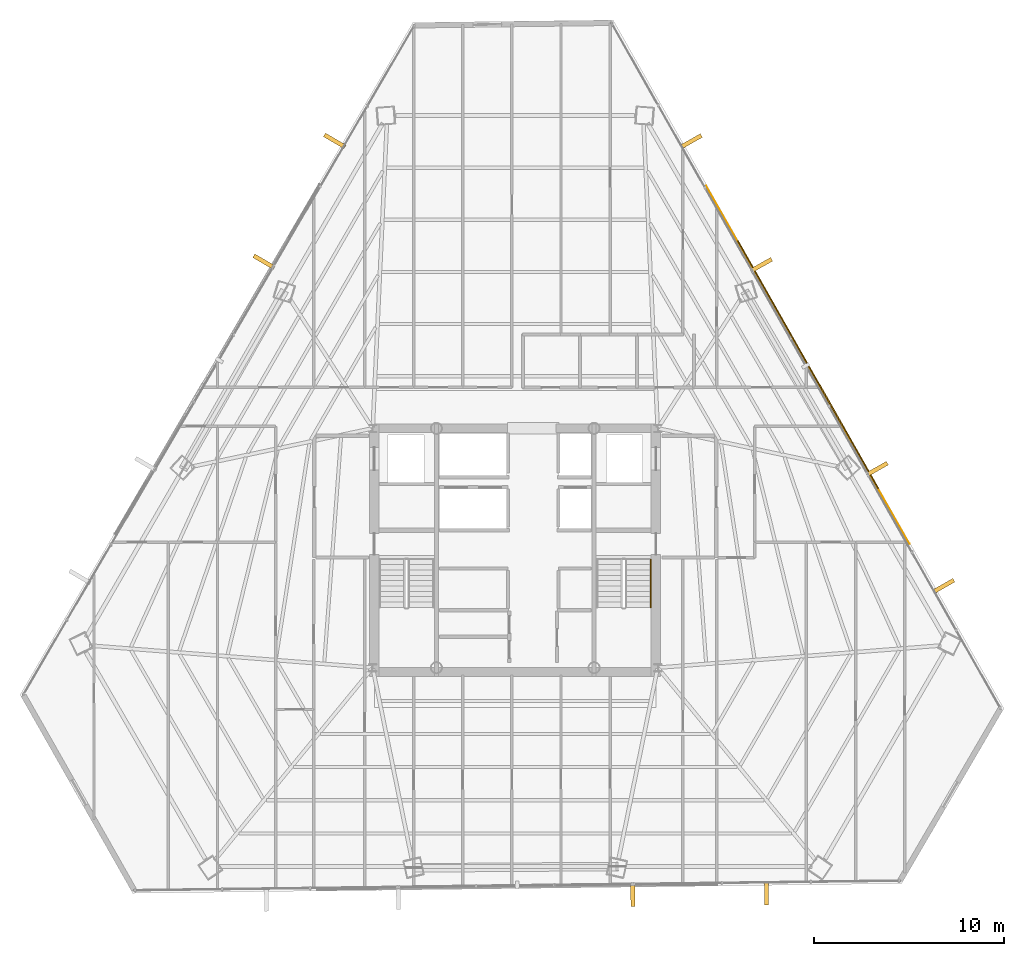
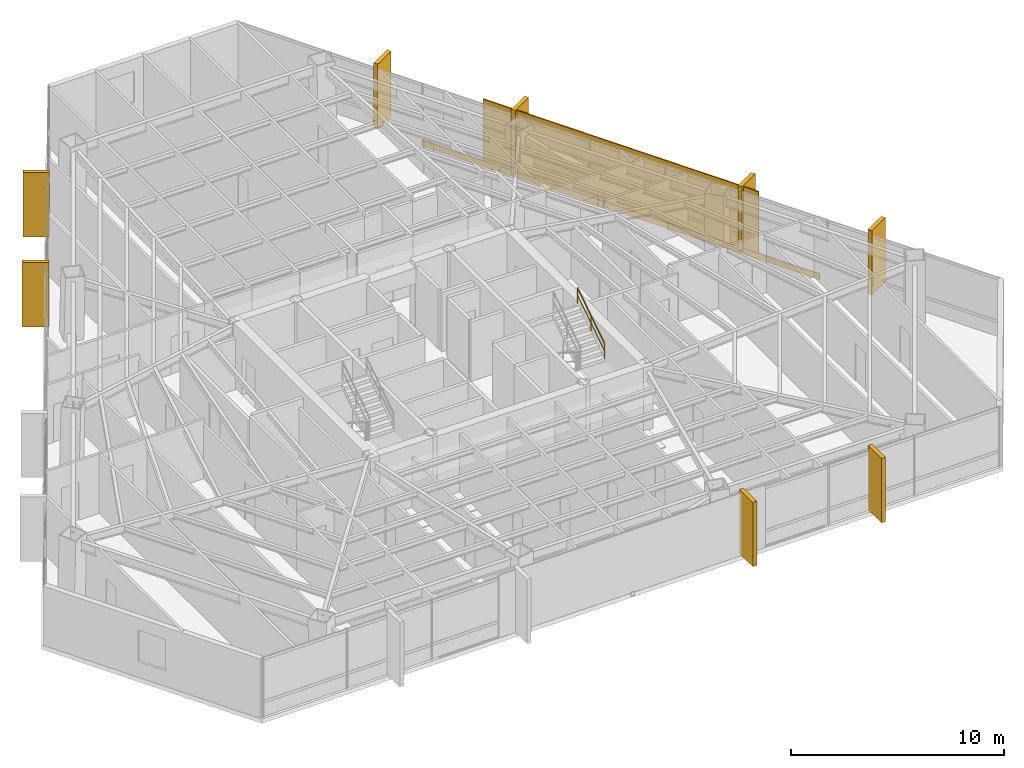
# One storey, part 42 of 42: 9 coverings, 1 railing, 1 shading device.
"""IFC4 building model written with IfcOpenShell, lengths in metres."""

import ifcopenshell
import ifcopenshell.guid

model = None  # the IFC model being written
_history = None  # IfcOwnerHistory: only IFC2X3 demands one
_inside = {}  # id of a spatial element -> (the spatial element, [elements in it])
_under = {}  # id of a project, library or spatial element -> (it, [spatial elements below it])
_declared = {}  # id of a project -> (the project, [libraries it declares])
_typed = {}  # id of a type object -> (the type object, [elements of that type])
_made_of = {}  # id of a material, layer set ... -> (it, [elements and type objects made of it])


def new_model(schema):
    """Start an empty IFC model of exactly this schema.

    Asked for "IFC4X3", IfcOpenShell would pick the latest addendum, in which some entities
    have other attributes; the version numbers below select the first issue.
    IFC2X3 requires an IfcOwnerHistory on every rooted entity: one is made here for all.
    """
    global model, _history
    if schema == "IFC4X3":
        model = ifcopenshell.file(schema_version=(4, 3, 0, 0))
    else:
        model = ifcopenshell.file(schema=schema)
    _inside.clear()
    _under.clear()
    _declared.clear()
    _typed.clear()
    _made_of.clear()
    _history = None
    if model.schema == "IFC2X3":
        org = make("IfcOrganization", Name="unknown")
        user = make(
            "IfcPersonAndOrganization",
            ThePerson=make("IfcPerson", FamilyName="unknown"),
            TheOrganization=org,
        )
        app = make(
            "IfcApplication",
            ApplicationDeveloper=org,
            Version="unknown",
            ApplicationFullName="unknown",
            ApplicationIdentifier="unknown",
        )
        _history = make(
            "IfcOwnerHistory",
            OwningUser=user,
            OwningApplication=app,
            ChangeAction="ADDED",
            CreationDate=0,
        )
    return model


def make(cls, **values):
    """One entity of the class cls with the attributes given. An attribute that is None is left unset."""
    return model.create_entity(
        cls, **{name: value for name, value in values.items() if value is not None}
    )


def rooted(cls, **values):
    """An entity with a GlobalId (a new one), such as an element, a storey or a relation."""
    return make(cls, GlobalId=ifcopenshell.guid.new(), OwnerHistory=_history, **values)


def si_unit(unit_type, name, prefix=None):
    """IfcSIUnit, for example si_unit("LENGTHUNIT", "METRE", prefix="MILLI")."""
    return make("IfcSIUnit", UnitType=unit_type, Prefix=prefix, Name=name)


def assignment(units):
    """IfcUnitAssignment: the units of a project."""
    return None if units is None else make("IfcUnitAssignment", Units=units)


def point(xyz):
    """IfcCartesianPoint."""
    return None if xyz is None else make("IfcCartesianPoint", Coordinates=xyz)


def direction(xyz):
    """IfcDirection."""
    return None if xyz is None else make("IfcDirection", DirectionRatios=xyz)


def frame(location, z_axis=None, x_axis=None):
    """IfcAxis2Placement3D, a coordinate frame: its origin and axes. An axis left out is left unset."""
    return make(
        "IfcAxis2Placement3D",
        Location=point(location),
        Axis=direction(z_axis),
        RefDirection=direction(x_axis),
    )


def frame_2d(location, x_axis=None):
    """IfcAxis2Placement2D, a coordinate frame in the plane: its origin and x axis."""
    return make(
        "IfcAxis2Placement2D", Location=point(location), RefDirection=direction(x_axis)
    )


def origin():
    """The frame at (0, 0, 0) with its axes left unset."""
    return frame((0.0, 0.0, 0.0))


def origin_2d():
    """The frame at (0, 0) in the plane with its x axis left unset."""
    return frame_2d((0.0, 0.0))


def place(relative_to, where):
    """IfcLocalPlacement: puts the frame where relative to a parent placement (None: the world)."""
    return make(
        "IfcLocalPlacement", PlacementRelTo=relative_to, RelativePlacement=where
    )


def context(
    kind, dimensions, precision=None, world=None, true_north=None, identifier=None
):
    """IfcGeometricRepresentationContext, for example the 3D "Model" context."""
    return make(
        "IfcGeometricRepresentationContext",
        ContextIdentifier=identifier,
        ContextType=kind,
        CoordinateSpaceDimension=dimensions,
        Precision=precision,
        WorldCoordinateSystem=world,
        TrueNorth=true_north,
    )


def subcontext(parent, identifier, kind, view, scale=None):
    """IfcGeometricRepresentationSubContext, for example "Body" below "Model"."""
    return make(
        "IfcGeometricRepresentationSubContext",
        ContextIdentifier=identifier,
        ContextType=kind,
        ParentContext=parent,
        TargetScale=scale,
        TargetView=view,
    )


def project(units=None, contexts=None):
    """IfcProject with its units and contexts."""
    return rooted(
        "IfcProject",
        Name="project",
        RepresentationContexts=contexts,
        UnitsInContext=assignment(units),
    )


def spatial(cls, under=None, at=None, **own):
    """A site, building, storey or space (cls), placed at a placement, below another one or the project."""
    s = rooted(cls, ObjectPlacement=at, **own)
    if under is not None:
        _under.setdefault(under.id(), (under, []))[1].append(s)
    return s


def profile(cls, at=None, kind="AREA", **sizes):
    """A parametric profile (cls). Its sizes go by their IFC names, for example OverallWidth=200.0."""
    return make(cls, ProfileType=kind, Position=at, **sizes)


def rectangle(**sizes):
    """IfcRectangleProfileDef."""
    return profile("IfcRectangleProfileDef", **sizes)


def extrude(swept, where, along, depth):
    """IfcExtrudedAreaSolid: the profile swept, set in the frame where, extruded along a direction by depth."""
    return make(
        "IfcExtrudedAreaSolid",
        SweptArea=swept,
        Position=where,
        ExtrudedDirection=direction(along),
        Depth=depth,
    )


def shape(context_of_items, identifier, shape_type, items):
    """IfcShapeRepresentation: the items that make up one representation, for example the "Body"."""
    return make(
        "IfcShapeRepresentation",
        ContextOfItems=context_of_items,
        RepresentationIdentifier=identifier,
        RepresentationType=shape_type,
        Items=items,
    )


def source(mapping_origin, context_of_items, identifier, shape_type, items):
    """IfcRepresentationMap: a shape defined once, which mapped items show again and again."""
    return make(
        "IfcRepresentationMap",
        MappingOrigin=mapping_origin,
        MappedRepresentation=shape(context_of_items, identifier, shape_type, items),
    )


def transform(
    local_origin,
    x_axis=None,
    y_axis=None,
    z_axis=None,
    scale=None,
    scale2=None,
    scale3=None,
    uniform=True,
):
    """IfcCartesianTransformationOperator3D, or its non-uniform kind. x_axis, y_axis, z_axis: its Axis1, 2, 3."""
    if uniform:
        return make(
            "IfcCartesianTransformationOperator3D",
            Axis1=direction(x_axis),
            Axis2=direction(y_axis),
            LocalOrigin=point(local_origin),
            Scale=scale,
            Axis3=direction(z_axis),
        )
    return make(
        "IfcCartesianTransformationOperator3DnonUniform",
        Axis1=direction(x_axis),
        Axis2=direction(y_axis),
        LocalOrigin=point(local_origin),
        Scale=scale,
        Axis3=direction(z_axis),
        Scale2=scale2,
        Scale3=scale3,
    )


def mapped(mapping_source, mapping_target):
    """IfcMappedItem: shows the shape of a source again, moved by a transform."""
    return make(
        "IfcMappedItem", MappingSource=mapping_source, MappingTarget=mapping_target
    )


def material(Name=None, Category=None):
    """IfcMaterial."""
    return make("IfcMaterial", Name=Name, Category=Category)


def layer(
    of_material, thickness, ventilated=None, Name=None, Category=None, Priority=None
):
    """IfcMaterialLayer: one layer of a wall or slab, of a material (None: an air gap)."""
    return make(
        "IfcMaterialLayer",
        Material=of_material,
        LayerThickness=thickness,
        IsVentilated=ventilated,
        Name=Name,
        Category=Category,
        Priority=Priority,
    )


def layer_set(layers, Name=None):
    """IfcMaterialLayerSet."""
    return make("IfcMaterialLayerSet", MaterialLayers=layers, LayerSetName=Name)


def made_of(thing, what):
    """Note that an element or type object is made of a material, layer set ...; save() writes the relation."""
    if what is not None:
        _made_of.setdefault(what.id(), (what, []))[1].append(thing)
    return thing


def type_object(cls, material=None, **own):
    """A type object (cls), such as IfcWallType, which elements share."""
    return made_of(rooted(cls, **own), material)


def type_shapes(of_type, sources):
    """Give a type object the sources (RepresentationMaps) that its elements show as mapped items."""
    of_type.RepresentationMaps = sources


def element(
    cls,
    number,
    at=None,
    inside=None,
    cuts=None,
    type_object=None,
    material=None,
    context=None,
    identifier="Body",
    shape_type=None,
    held_by="IfcProductDefinitionShape",
    body=None,
    shapes=None,
    **own,
):
    """One element of the class cls, such as IfcWall. Its Tag is "e" and its number.

    at: its placement. inside: the storey or other place that contains it. cuts: it is an
    opening in that element (IfcRelVoidsElement). A single representation is given by context,
    identifier, shape_type and body (its items); several are given by shapes. held_by: the class
    of the entity that holds the representations. save() writes the other relations.
    """
    e = rooted(cls, Tag="e%d" % number, ObjectPlacement=at, **own)
    if body is not None:
        shapes = [shape(context, identifier, shape_type, body)]
    if shapes is not None:
        e.Representation = make(held_by, Representations=shapes)
    if inside is not None:
        _inside.setdefault(inside.id(), (inside, []))[1].append(e)
    if cuts is not None:
        rooted(
            "IfcRelVoidsElement", RelatingBuildingElement=cuts, RelatedOpeningElement=e
        )
    if type_object is not None:
        _typed.setdefault(type_object.id(), (type_object, []))[1].append(e)
    return made_of(e, material)


def aggregate(whole, parts):
    """IfcRelAggregates: a whole, such as a stair, and the parts it consists of."""
    return rooted("IfcRelAggregates", RelatingObject=whole, RelatedObjects=parts)


def save(model, path):
    """Write the relations noted so far, then the file.

    IfcRelAggregates (storeys below a building ...), IfcRelContainedInSpatialStructure (elements
    in a storey), IfcRelDefinesByType, IfcRelAssociatesMaterial and IfcRelDeclares: one each for
    every whole, place, type object, material and project.
    """
    for whole, parts in _under.values():
        aggregate(whole, parts)
    for where, things in _inside.values():
        rooted(
            "IfcRelContainedInSpatialStructure",
            RelatedElements=things,
            RelatingStructure=where,
        )
    for kind, things in _typed.values():
        rooted("IfcRelDefinesByType", RelatedObjects=things, RelatingType=kind)
    for what, things in _made_of.values():
        rooted("IfcRelAssociatesMaterial", RelatedObjects=things, RelatingMaterial=what)
    for by, libraries in _declared.values():
        rooted("IfcRelDeclares", RelatingContext=by, RelatedDefinitions=libraries)
    model.write(path)


model = new_model("IFC4")

# Units and contexts
model_context = context("Model", 3, precision=1e-05, world=origin(), true_north=direction((0.0, 1.0)))
body_context = subcontext(model_context, "Body", "Model", "MODEL_VIEW")
ifc_project = project(units=[si_unit("LENGTHUNIT", "METRE"), si_unit("AREAUNIT", "SQUARE_METRE"), si_unit("VOLUMEUNIT", "CUBIC_METRE"), si_unit("PLANEANGLEUNIT", "RADIAN"), si_unit("MASSUNIT", "GRAM", prefix="KILO")], contexts=[model_context])

# Site, building, storey
site_placement = place(None, origin())
site = spatial("IfcSite", under=ifc_project, at=site_placement, CompositionType="ELEMENT")
building_placement = place(site_placement, origin())
building = spatial("IfcBuilding", under=site, at=building_placement, Name="Caelisora Broadcast Tower", CompositionType="ELEMENT")
storey_placement = place(building_placement, frame((0.0, 0.0, 131.800048828125)))
storey = spatial("IfcBuildingStorey", under=building, at=storey_placement, Name="L34", CompositionType="ELEMENT", Elevation=131.800048828125)

# Railing
ifc_material_1 = material(Name="Stainless Steel Grade 316 Tubular Handrail", Category="steel")
ifc_layer_1 = layer(ifc_material_1, 0.048095703125, Name="Stainless Steel Grade 316 Tubular Handrail")
ifc_layer_set_1 = layer_set([ifc_layer_1], Name="Stainless Steel Grade 316 Tubular Handrail")
railing_type = type_object("IfcRailingType", Name="HR-1", PredefinedType="HANDRAIL", material=ifc_layer_set_1)
railing_placement = place(storey_placement, frame((45.1298828125, 20.580078125, 2.007568359375)))
element("IfcRailing", 1, at=railing_placement, inside=storey, type_object=railing_type, Name="L34 ST-2 stair handrail 2", PredefinedType="HANDRAIL", context=body_context, shape_type="SweptSolid", body=[
    extrude(rectangle(XDim=0.048095703125, YDim=0.048095703125, at=origin_2d()), frame((0.0, 0.0, 0.8759765625), z_axis=(0.0, 0.837786554691, 0.545997883492), x_axis=(-1.0, 0.0, 0.0)), (0.0, 0.0, 1.0), 3.008056640625),
    extrude(rectangle(XDim=0.03125, YDim=0.03125, at=origin_2d()), frame((0.0, 0.0, 0.449951171875), z_axis=(0.0, 0.837786554691, 0.545997883492), x_axis=(-1.0, 0.0, 0.0)), (0.0, 0.0, 1.0), 3.008056640625),
    extrude(rectangle(XDim=0.0419921875, YDim=0.0419921875, at=origin_2d()), origin(), (0.0, 0.0, 1.0), 0.851806640625),
    extrude(rectangle(XDim=0.0419921875, YDim=0.0419921875, at=origin_2d()), frame((0.0, 1.260009765625, 0.8212890625)), (0.0, 0.0, 1.0), 0.851806640625),
    extrude(rectangle(XDim=0.0419921875, YDim=0.0419921875, at=origin_2d()), frame((0.0, 2.52001953125, 1.642333984375)), (0.0, 0.0, 1.0), 0.851806640625),
])

# Coverings
ifc_material_2 = material(Name="Kiln-Fired Terracotta Spandrel Rainscreen Cladding", Category="ceramic")
ifc_layer_2 = layer(ifc_material_2, 0.044921875, Name="Kiln-Fired Terracotta Spandrel Rainscreen Cladding")
ifc_layer_set_2 = layer_set([ifc_layer_2], Name="Kiln-Fired Terracotta Spandrel Rainscreen Cladding")
covering_type = type_object("IfcCoveringType", Name="CL-1", PredefinedType="CLADDING", material=ifc_layer_set_2)
shared_shape_1 = source(origin(), body_context, "Body", "SweptSolid", [
    extrude(rectangle(XDim=0.219970703125, YDim=1.25, at=origin_2d()), origin(), (0.0, 0.0, 1.0), 3.68994140625),
])
for number, where, z_axis, x_axis, name in (
    (2, (47.255126953125, 45.104248046875, -0.02001953125), (0.0, 0.0, 1.0), (0.493638325511, -0.869667294767, 0.0), "L34 vertical solar fin cladding #1-1"),
    (3, (50.9521484375, 38.591064453125, -0.02001953125), (0.0, 0.0, 1.0), (0.493638325511, -0.869667294767, 0.0), "L34 vertical solar fin cladding #1-2"),
    (4, (57.0439453125, 27.859375, -0.02001953125), (0.0, 0.0, 1.0), (0.493638325511, -0.869667294767, 0.0), "L34 vertical solar fin cladding #1-3"),
    (5, (60.54248046875, 21.69580078125, -0.02001953125), (0.0, 0.0, 1.0), (0.493638325511, -0.869667294767, 0.0), "L34 vertical solar fin cladding #1-4"),
    (6, (51.22412109375, 5.53662109375, -0.02001953125), (0.0, 0.0, 1.0), (-0.999921044204, -0.012566039883, 0.0), "L34 vertical solar fin cladding #2-1"),
    (7, (44.18798828125, 5.448486328125, -0.02001953125), (0.0, 0.0, 1.0), (-0.999921044204, -0.012566039883, 0.0), "L34 vertical solar fin cladding #2-2"),
    (8, (24.7802734375, 38.767578125, -0.02001953125), (0.0, 0.0, 1.0), (0.504527623815, 0.863395550607, 0.0), "L34 vertical solar fin cladding #3-3"),
    (9, (28.498291015625, 45.130126953125, -0.02001953125), (0.0, 0.0, 1.0), (0.504527623815, 0.863395550607, 0.0), "L34 vertical solar fin cladding #3-4"),
):
    element("IfcCovering", number, at=place(storey_placement, frame(where, z_axis=z_axis, x_axis=x_axis)), inside=storey, type_object=covering_type, Name=name, PredefinedType="CLADDING", context=body_context, shape_type="MappedRepresentation", body=[
        mapped(shared_shape_1, transform((0.0, 0.0, 0.0), scale=1.0)),
    ])

# Shading device
ifc_material_3 = material(Name="Perforated Glazed Terracotta Baguette Solar Screen", Category="ceramic")
ifc_layer_3 = layer(ifc_material_3, 0.06494140625, Name="Perforated Glazed Terracotta Baguette Solar Screen")
ifc_layer_set_3 = layer_set([ifc_layer_3], Name="Perforated Glazed Terracotta Baguette Solar Screen")
shading_device_type = type_object("IfcShadingDeviceType", Name="SS-1", PredefinedType="USERDEFINED", material=ifc_layer_set_3)
shared_shape_2 = source(origin(), body_context, "Body", "SweptSolid", [
    extrude(rectangle(XDim=15.0, YDim=0.06494140625, at=origin_2d()), origin(), (0.0, 0.0, 1.0), 3.590087890625),
])
type_shapes(shading_device_type, [shared_shape_2])
shading_device_placement = place(storey_placement, frame((53.40771484375, 33.353759765625, 0.0), z_axis=(0.0, 0.0, 1.0), x_axis=(-0.493638325511, 0.869667294767, 0.0)))
element("IfcShadingDevice", 10, at=shading_device_placement, inside=storey, type_object=shading_device_type, Name="L34 perforated terracotta solar screen #3", ObjectType="SOLAR SCREEN", PredefinedType="USERDEFINED", context=body_context, shape_type="MappedRepresentation", body=[
    mapped(shared_shape_2, transform((0.0, 0.0, 0.0), scale=1.0)),
])

# Covering
shared_shape_3 = source(origin(), body_context, "Body", "SweptSolid", [
    extrude(rectangle(XDim=21.6669921875, YDim=0.044921875, at=origin_2d()), origin(), (0.0, 0.0, 1.0), 0.340087890625),
])
type_shapes(covering_type, [shared_shape_1, shared_shape_3])
covering_placement = place(storey_placement, frame((53.390380859375, 33.343994140625, -0.27001953125), z_axis=(0.0, 0.0, 1.0), x_axis=(-0.493638325511, 0.869667294767, 0.0)))
element("IfcCovering", 11, at=covering_placement, inside=storey, type_object=covering_type, Name="L34 terracotta spandrel rainscreen #3", PredefinedType="CLADDING", context=body_context, shape_type="MappedRepresentation", body=[
    mapped(shared_shape_3, transform((0.0, 0.0, 0.0), scale=1.0)),
])

save(model, "model.ifc")
